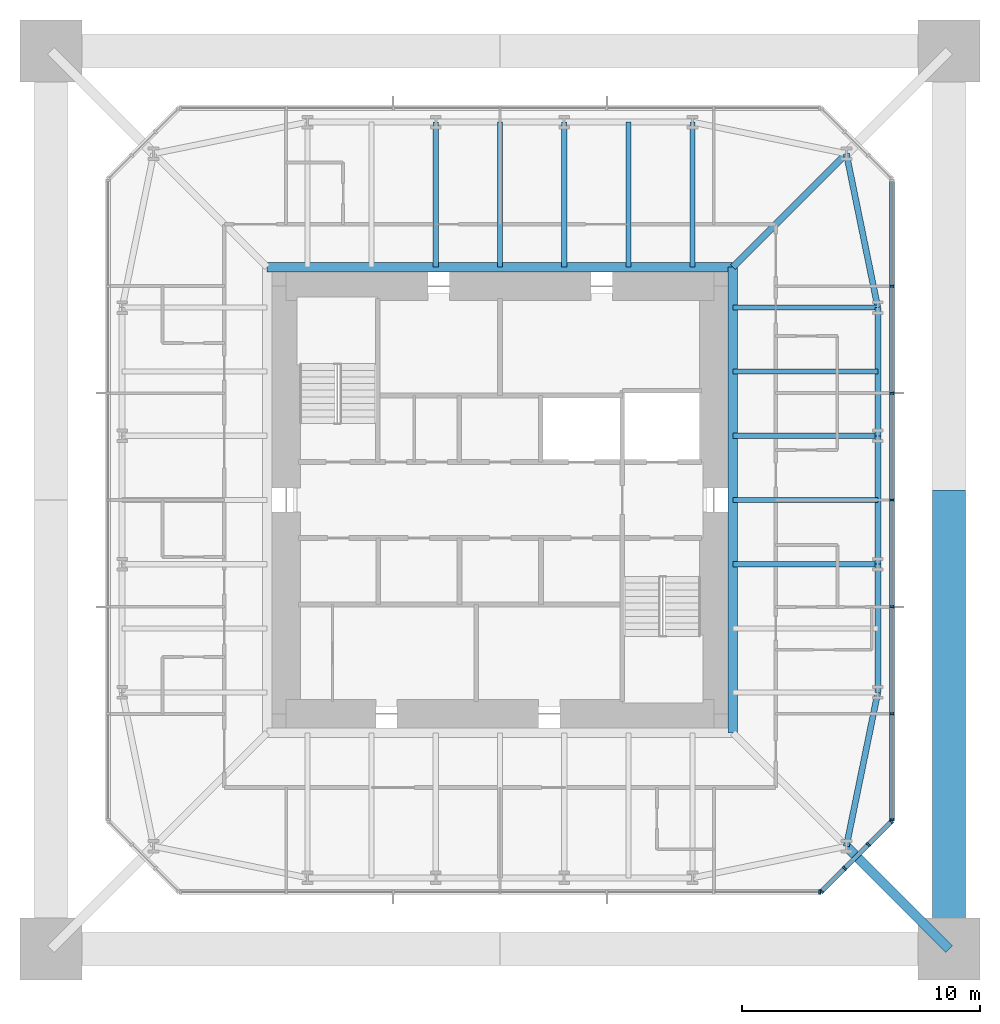
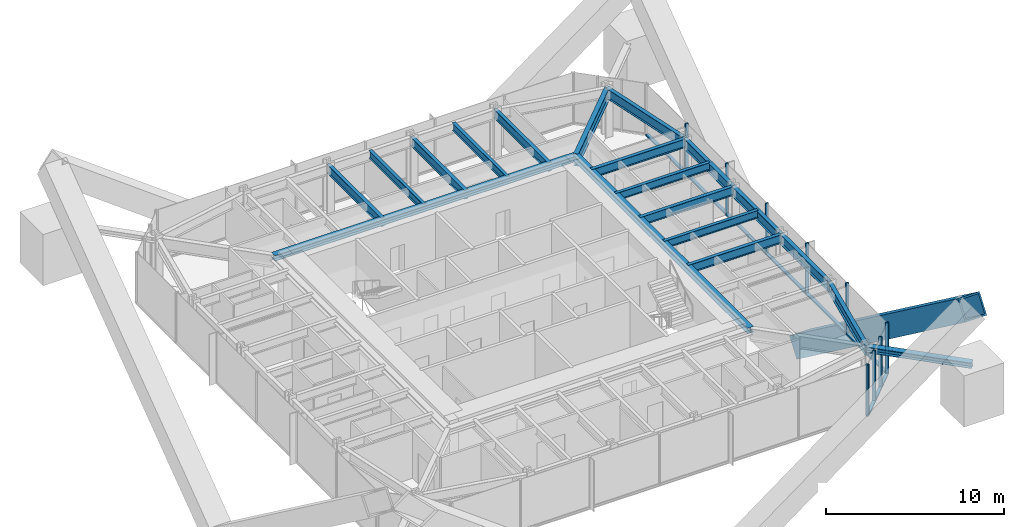
# One storey, part 4 of 10: 22 members, 18 beams, 3 elements without a shape of their own.
"""IFC4 building model written with IfcOpenShell, lengths in metres."""

from ifc_helpers import new_model, si_unit, direction, frame, origin, origin_2d, place, context, subcontext, project, spatial, rectangle, hollow_rectangle, i_section, extrude, material, material_profile, profile_set, type_object, element, aggregate, save


model = new_model("IFC4")

# Units and contexts
model_context = context("Model", 3, precision=1e-05, world=origin(), true_north=direction((0.0, 1.0)))
body_context = subcontext(model_context, "Body", "Model", "MODEL_VIEW")
ifc_project = project(units=[si_unit("LENGTHUNIT", "METRE"), si_unit("AREAUNIT", "SQUARE_METRE"), si_unit("VOLUMEUNIT", "CUBIC_METRE"), si_unit("PLANEANGLEUNIT", "RADIAN"), si_unit("MASSUNIT", "GRAM", prefix="KILO")], contexts=[model_context])

# Site, building, storey
site_placement = place(None, origin())
site = spatial("IfcSite", under=ifc_project, at=site_placement, CompositionType="ELEMENT")
building_placement = place(site_placement, origin())
building = spatial("IfcBuilding", under=site, at=building_placement, Name="Iwan Alto Co-Living Towers", CompositionType="ELEMENT")
storey_placement = place(building_placement, frame((0.0, 0.0, 260.5)))
storey = spatial("IfcBuildingStorey", under=building, at=storey_placement, Name="L71", CompositionType="ELEMENT", Elevation=260.5)

# Curtain wall, member
ifc_material_1 = material(Name="Bronze aluminium unitised frame", Category="aluminium")
curtain_wall_type_1 = type_object("IfcCurtainWallType", Name="CURTAIN WALL CW-A", PredefinedType="NOTDEFINED", material=ifc_material_1)
curtain_wall_1_placement = place(storey_placement, origin())
curtain_wall_1 = element("IfcCurtainWall", 1, at=curtain_wall_1_placement, inside=storey, type_object=curtain_wall_type_1, Name="T1 curtain wall S L71", PredefinedType="NOTDEFINED")
ifc_material_2 = material(Name="Aluminium 6063-T6 bronze anodised", Category="aluminium")
ifc_material_profile_1 = material_profile(ifc_material_2, rectangle(XDim=0.199951171875, YDim=0.080078125, at=origin_2d()), Name="AL 80X200")
ifc_profile_set_1 = profile_set([ifc_material_profile_1], Name="Aluminium 6063-T6 bronze anodised")
member_type_1 = type_object("IfcMemberType", Name="CW-A MULLION 80X200", PredefinedType="MULLION", material=ifc_profile_set_1)
member_1_placement = place(storey_placement, frame((13.4599609375, -16.5, 0.0), z_axis=(0.0, 0.0, 1.0), x_axis=(0.0, 1.0, 0.0)))
member_1 = element("IfcMember", 2, at=member_1_placement, type_object=member_type_1, Name="CW-A mullion 7", PredefinedType="MULLION", context=body_context, shape_type="SweptSolid", body=[
    extrude(rectangle(XDim=0.199951171875, YDim=0.080078125, at=origin_2d()), origin(), (0.0, 0.0, 1.0), 3.5),
])
aggregate(curtain_wall_1, [member_1])

# Curtain wall, members
curtain_wall_2_placement = place(storey_placement, origin())
curtain_wall_2 = element("IfcCurtainWall", 3, at=curtain_wall_2_placement, inside=storey, type_object=curtain_wall_type_1, Name="T1 curtain wall E L71", PredefinedType="NOTDEFINED")
member_2_placement = place(storey_placement, frame((16.5, -13.4599609375, 0.0), z_axis=(0.0, 0.0, 1.0), x_axis=(-1.0, 0.0, 0.0)))
member_2 = element("IfcMember", 4, at=member_2_placement, type_object=member_type_1, Name="CW-A mullion 1", PredefinedType="MULLION", context=body_context, shape_type="SweptSolid", body=[
    extrude(rectangle(XDim=0.199951171875, YDim=0.080078125, at=origin_2d()), origin(), (0.0, 0.0, 1.0), 3.5),
])
member_3_placement = place(storey_placement, frame((16.5, -9.0, 0.0), z_axis=(0.0, 0.0, 1.0), x_axis=(-1.0, 0.0, 0.0)))
member_3 = element("IfcMember", 5, at=member_3_placement, type_object=member_type_1, Name="CW-A mullion 2", PredefinedType="MULLION", context=body_context, shape_type="SweptSolid", body=[
    extrude(rectangle(XDim=0.199951171875, YDim=0.080078125, at=origin_2d()), origin(), (0.0, 0.0, 1.0), 3.5),
])
member_4_placement = place(storey_placement, frame((16.5, -4.5, 0.0), z_axis=(0.0, 0.0, 1.0), x_axis=(-1.0, 0.0, 0.0)))
member_4 = element("IfcMember", 6, at=member_4_placement, type_object=member_type_1, Name="CW-A mullion 3", PredefinedType="MULLION", context=body_context, shape_type="SweptSolid", body=[
    extrude(rectangle(XDim=0.199951171875, YDim=0.080078125, at=origin_2d()), origin(), (0.0, 0.0, 1.0), 3.5),
])
member_5_placement = place(storey_placement, frame((16.5, 0.0, 0.0), z_axis=(0.0, 0.0, 1.0), x_axis=(-1.0, 0.0, 0.0)))
member_5 = element("IfcMember", 7, at=member_5_placement, type_object=member_type_1, Name="CW-A mullion 4", PredefinedType="MULLION", context=body_context, shape_type="SweptSolid", body=[
    extrude(rectangle(XDim=0.199951171875, YDim=0.080078125, at=origin_2d()), origin(), (0.0, 0.0, 1.0), 3.5),
])
member_6_placement = place(storey_placement, frame((16.5, 4.5, 0.0), z_axis=(0.0, 0.0, 1.0), x_axis=(-1.0, 0.0, 0.0)))
member_6 = element("IfcMember", 8, at=member_6_placement, type_object=member_type_1, Name="CW-A mullion 5", PredefinedType="MULLION", context=body_context, shape_type="SweptSolid", body=[
    extrude(rectangle(XDim=0.199951171875, YDim=0.080078125, at=origin_2d()), origin(), (0.0, 0.0, 1.0), 3.5),
])
member_7_placement = place(storey_placement, frame((16.5, 9.0, 0.0), z_axis=(0.0, 0.0, 1.0), x_axis=(-1.0, 0.0, 0.0)))
member_7 = element("IfcMember", 9, at=member_7_placement, type_object=member_type_1, Name="CW-A mullion 6", PredefinedType="MULLION", context=body_context, shape_type="SweptSolid", body=[
    extrude(rectangle(XDim=0.199951171875, YDim=0.080078125, at=origin_2d()), origin(), (0.0, 0.0, 1.0), 3.5),
])
ifc_material_3 = material(Name="Aluminium 6063-T6 bronze anodised", Category="aluminium")
ifc_material_profile_2 = material_profile(ifc_material_3, rectangle(XDim=0.199951171875, YDim=0.10009765625, at=origin_2d()), Name="AL 200X100")
ifc_profile_set_2 = profile_set([ifc_material_profile_2], Name="Aluminium 6063-T6 bronze anodised")
member_type_2 = type_object("IfcMemberType", Name="CW-A TRANSOM 200X100", PredefinedType="USERDEFINED", material=ifc_profile_set_2)
member_8_placement = place(storey_placement, frame((16.5, -13.419921875, 0.050048828125), z_axis=(0.0, 1.0, 0.0), x_axis=(-1.0, 0.0, 0.0)))
member_8 = element("IfcMember", 10, at=member_8_placement, type_object=member_type_2, Name="CW-A transom 1.1", ObjectType="TRANSOM", PredefinedType="USERDEFINED", context=body_context, shape_type="SweptSolid", body=[
    extrude(rectangle(XDim=0.199951171875, YDim=0.10009765625, at=origin_2d()), origin(), (0.0, 0.0, 1.0), 4.3798828125),
])
member_9_placement = place(storey_placement, frame((16.5, -8.9599609375, 0.050048828125), z_axis=(0.0, 1.0, 0.0), x_axis=(-1.0, 0.0, 0.0)))
member_9 = element("IfcMember", 11, at=member_9_placement, type_object=member_type_2, Name="CW-A transom 2.1", ObjectType="TRANSOM", PredefinedType="USERDEFINED", context=body_context, shape_type="SweptSolid", body=[
    extrude(rectangle(XDim=0.199951171875, YDim=0.10009765625, at=origin_2d()), origin(), (0.0, 0.0, 1.0), 4.419921875),
])
member_10_placement = place(storey_placement, frame((16.5, -4.4599609375, 0.050048828125), z_axis=(0.0, 1.0, 0.0), x_axis=(-1.0, 0.0, 0.0)))
member_10 = element("IfcMember", 12, at=member_10_placement, type_object=member_type_2, Name="CW-A transom 3.1", ObjectType="TRANSOM", PredefinedType="USERDEFINED", context=body_context, shape_type="SweptSolid", body=[
    extrude(rectangle(XDim=0.199951171875, YDim=0.10009765625, at=origin_2d()), origin(), (0.0, 0.0, 1.0), 4.419921875),
])
member_11_placement = place(storey_placement, frame((16.5, 0.0400390625, 0.050048828125), z_axis=(0.0, 1.0, 0.0), x_axis=(-1.0, 0.0, 0.0)))
member_11 = element("IfcMember", 13, at=member_11_placement, type_object=member_type_2, Name="CW-A transom 4.1", ObjectType="TRANSOM", PredefinedType="USERDEFINED", context=body_context, shape_type="SweptSolid", body=[
    extrude(rectangle(XDim=0.199951171875, YDim=0.10009765625, at=origin_2d()), origin(), (0.0, 0.0, 1.0), 4.419921875),
])
member_12_placement = place(storey_placement, frame((16.5, 4.5400390625, 0.050048828125), z_axis=(0.0, 1.0, 0.0), x_axis=(-1.0, 0.0, 0.0)))
member_12 = element("IfcMember", 14, at=member_12_placement, type_object=member_type_2, Name="CW-A transom 5.1", ObjectType="TRANSOM", PredefinedType="USERDEFINED", context=body_context, shape_type="SweptSolid", body=[
    extrude(rectangle(XDim=0.199951171875, YDim=0.10009765625, at=origin_2d()), origin(), (0.0, 0.0, 1.0), 4.419921875),
])
member_13_placement = place(storey_placement, frame((16.5, 9.0400390625, 0.050048828125), z_axis=(0.0, 1.0, 0.0), x_axis=(-1.0, 0.0, 0.0)))
member_13 = element("IfcMember", 15, at=member_13_placement, type_object=member_type_2, Name="CW-A transom 6.1", ObjectType="TRANSOM", PredefinedType="USERDEFINED", context=body_context, shape_type="SweptSolid", body=[
    extrude(rectangle(XDim=0.199951171875, YDim=0.10009765625, at=origin_2d()), origin(), (0.0, 0.0, 1.0), 4.3798828125),
])
aggregate(curtain_wall_2, [member_2, member_3, member_4, member_5, member_6, member_7, member_8, member_9, member_10, member_11, member_12, member_13])

ifc_material_4 = material(Name="Bronze aluminium unitised frame", Category="aluminium")
curtain_wall_type_2 = type_object("IfcCurtainWallType", Name="CURTAIN WALL CW-B", PredefinedType="NOTDEFINED", material=ifc_material_4)
curtain_wall_3_placement = place(storey_placement, origin())
curtain_wall_3 = element("IfcCurtainWall", 16, at=curtain_wall_3_placement, inside=storey, type_object=curtain_wall_type_2, Name="T1 chamfer curtain wall SE L71", PredefinedType="NOTDEFINED")
ifc_material_5 = material(Name="Aluminium 6063-T6 bronze anodised", Category="aluminium")
ifc_material_profile_3 = material_profile(ifc_material_5, rectangle(XDim=0.199951171875, YDim=0.080078125, at=origin_2d()), Name="AL 80X200")
ifc_profile_set_3 = profile_set([ifc_material_profile_3], Name="Aluminium 6063-T6 bronze anodised")
member_type_3 = type_object("IfcMemberType", Name="CW-B MULLION 80X200", PredefinedType="MULLION", material=ifc_profile_set_3)
member_14_placement = place(storey_placement, frame((13.5283203125, -16.4716796875, 0.0), z_axis=(0.0, 0.0, 1.0), x_axis=(-0.707106781187, 0.707106781187, 0.0)))
member_14 = element("IfcMember", 17, at=member_14_placement, type_object=member_type_3, Name="CW-B mullion 1", PredefinedType="MULLION", context=body_context, shape_type="SweptSolid", body=[
    extrude(rectangle(XDim=0.199951171875, YDim=0.080078125, at=origin_2d()), origin(), (0.0, 0.0, 1.0), 3.5),
])
member_15_placement = place(storey_placement, frame((14.5, -15.5, 0.0), z_axis=(0.0, 0.0, 1.0), x_axis=(-0.707106781187, 0.707106781187, 0.0)))
member_15 = element("IfcMember", 18, at=member_15_placement, type_object=member_type_3, Name="CW-B mullion 2", PredefinedType="MULLION", context=body_context, shape_type="SweptSolid", body=[
    extrude(rectangle(XDim=0.199951171875, YDim=0.080078125, at=origin_2d()), origin(), (0.0, 0.0, 1.0), 3.5),
])
member_16_placement = place(storey_placement, frame((15.5, -14.5, 0.0), z_axis=(0.0, 0.0, 1.0), x_axis=(-0.707106781187, 0.707106781187, 0.0)))
member_16 = element("IfcMember", 19, at=member_16_placement, type_object=member_type_3, Name="CW-B mullion 3", PredefinedType="MULLION", context=body_context, shape_type="SweptSolid", body=[
    extrude(rectangle(XDim=0.199951171875, YDim=0.080078125, at=origin_2d()), origin(), (0.0, 0.0, 1.0), 3.5),
])
member_17_placement = place(storey_placement, frame((16.4716796875, -13.5283203125, 0.0), z_axis=(0.0, 0.0, 1.0), x_axis=(-0.707106781187, 0.707106781187, 0.0)))
member_17 = element("IfcMember", 20, at=member_17_placement, type_object=member_type_3, Name="CW-B mullion 4", PredefinedType="MULLION", context=body_context, shape_type="SweptSolid", body=[
    extrude(rectangle(XDim=0.199951171875, YDim=0.080078125, at=origin_2d()), origin(), (0.0, 0.0, 1.0), 3.5),
])
ifc_material_6 = material(Name="Aluminium 6063-T6 bronze anodised", Category="aluminium")
ifc_material_profile_4 = material_profile(ifc_material_6, rectangle(XDim=0.199951171875, YDim=0.10009765625, at=origin_2d()), Name="AL 200X100")
ifc_profile_set_4 = profile_set([ifc_material_profile_4], Name="Aluminium 6063-T6 bronze anodised")
member_type_4 = type_object("IfcMemberType", Name="CW-B TRANSOM 200X100", PredefinedType="USERDEFINED", material=ifc_profile_set_4)
member_18_placement = place(storey_placement, frame((13.556640625, -16.443359375, 0.050048828125), z_axis=(0.707106781187, 0.707106781187, 0.0), x_axis=(-0.707106781187, 0.707106781187, 0.0)))
member_18 = element("IfcMember", 21, at=member_18_placement, type_object=member_type_4, Name="CW-B transom 1.1", ObjectType="TRANSOM", PredefinedType="USERDEFINED", context=body_context, shape_type="SweptSolid", body=[
    extrude(rectangle(XDim=0.199951171875, YDim=0.10009765625, at=origin_2d()), origin(), (0.0, 0.0, 1.0), 1.2939453125),
])
member_19_placement = place(storey_placement, frame((14.5283203125, -15.4716796875, 0.050048828125), z_axis=(0.707106781187, 0.707106781187, 0.0), x_axis=(-0.707106781187, 0.707106781187, 0.0)))
member_19 = element("IfcMember", 22, at=member_19_placement, type_object=member_type_4, Name="CW-B transom 2.1", ObjectType="TRANSOM", PredefinedType="USERDEFINED", context=body_context, shape_type="SweptSolid", body=[
    extrude(rectangle(XDim=0.199951171875, YDim=0.10009765625, at=origin_2d()), origin(), (0.0, 0.0, 1.0), 1.334228515625),
])
member_20_placement = place(storey_placement, frame((15.5283203125, -14.4716796875, 0.050048828125), z_axis=(0.707106781187, 0.707106781187, 0.0), x_axis=(-0.707106781187, 0.707106781187, 0.0)))
member_20 = element("IfcMember", 23, at=member_20_placement, type_object=member_type_4, Name="CW-B transom 3.1", ObjectType="TRANSOM", PredefinedType="USERDEFINED", context=body_context, shape_type="SweptSolid", body=[
    extrude(rectangle(XDim=0.199951171875, YDim=0.10009765625, at=origin_2d()), origin(), (0.0, 0.0, 1.0), 1.2939453125),
])
aggregate(curtain_wall_3, [member_14, member_15, member_16, member_17, member_18, member_19, member_20])

# Beams
ifc_material_7 = material(Name="Steel ASTM A992 Gr 50", Category="steel")
ifc_material_profile_5 = material_profile(ifc_material_7, i_section(OverallWidth=0.398681640625, OverallDepth=0.385986328125, WebThickness=0.02099609375, FlangeThickness=0.033203125, at=origin_2d()), Name="W14X176")
ifc_profile_set_5 = profile_set([ifc_material_profile_5], Name="Steel ASTM A992 Gr 50")
beam_type_1 = type_object("IfcBeamType", Name="T1 CORE LEDGER BEAM W14X176", PredefinedType="BEAM", material=ifc_profile_set_5)
for number, where, z_axis, x_axis, name in (
    (24, (9.79931640625, -9.79931640625, 3.076904296875), (0.0, 1.0, 0.0), (-1.0, 0.0, 0.0), "T1 core ledger beam E L72"),
    (25, (9.79931640625, 9.79931640625, 3.076904296875), (-1.0, 0.0, 0.0), (0.0, -1.0, 0.0), "T1 core ledger beam N L72"),
):
    element("IfcBeam", number, at=place(storey_placement, frame(where, z_axis=z_axis, x_axis=x_axis)), inside=storey, type_object=beam_type_1, Name=name, PredefinedType="BEAM", context=body_context, shape_type="SweptSolid", body=[
        extrude(i_section(OverallWidth=0.398681640625, OverallDepth=0.385986328125, WebThickness=0.02099609375, FlangeThickness=0.033203125, at=origin_2d()), origin(), (0.0, 0.0, 1.0), 19.5986328125),
    ])
ifc_material_8 = material(Name="Steel ASTM A992 Gr 50", Category="steel")
ifc_material_profile_6 = material_profile(ifc_material_8, i_section(OverallWidth=0.2919921875, OverallDepth=0.8408203125, WebThickness=0.0146484375, FlangeThickness=0.021728515625, at=origin_2d()), Name="W33X130")
ifc_profile_set_6 = profile_set([ifc_material_profile_6], Name="Steel ASTM A992 Gr 50")
beam_type_2 = type_object("IfcBeamType", Name="T1 CORNER GIRDER W33X130", PredefinedType="BEAM", material=ifc_profile_set_6)
beam_1_placement = place(storey_placement, frame((14.57568359375, 14.57568359375, 2.849609375), z_axis=(-0.707106781187, -0.707106781187, 0.0), x_axis=(0.707106781187, -0.707106781187, 0.0)))
element("IfcBeam", 26, at=beam_1_placement, inside=storey, type_object=beam_type_2, Name="T1 corner girder CNE L72", PredefinedType="BEAM", context=body_context, shape_type="SweptSolid", body=[
    extrude(i_section(OverallWidth=0.2919921875, OverallDepth=0.8408203125, WebThickness=0.0146484375, FlangeThickness=0.021728515625, at=origin_2d()), origin(), (0.0, 0.0, 1.0), 6.7548828125),
])
ifc_material_9 = material(Name="Steel ASTM A992 Gr 50", Category="steel")
ifc_material_profile_7 = material_profile(ifc_material_9, i_section(OverallWidth=0.25390625, OverallDepth=0.683349609375, WebThickness=0.012451171875, FlangeThickness=0.018798828125, at=origin_2d()), Name="W27X94")
ifc_profile_set_7 = profile_set([ifc_material_profile_7], Name="Steel ASTM A992 Gr 50")
beam_type_3 = type_object("IfcBeamType", Name="T1 EDGE BEAM W27X94", PredefinedType="BEAM", material=ifc_profile_set_7)
beam_2_placement = place(storey_placement, frame((14.57568359375, -14.57568359375, 2.928466796875), z_axis=(0.200347889618, 0.979724820103, 0.0), x_axis=(-0.979724820103, 0.200347889618, 0.0)))
element("IfcBeam", 27, at=beam_2_placement, inside=storey, type_object=beam_type_3, Name="T1 edge beam CSE L72", PredefinedType="BEAM", context=body_context, shape_type="SweptSolid", body=[
    extrude(i_section(OverallWidth=0.25390625, OverallDepth=0.683349609375, WebThickness=0.012451171875, FlangeThickness=0.018798828125, at=origin_2d()), origin(), (0.0, 0.0, 1.0), 6.609619140625),
])
beam_3_placement = place(storey_placement, frame((15.89990234375, -8.10009765625, 2.928466796875), z_axis=(0.0, 1.0, 0.0), x_axis=(-1.0, 0.0, 0.0)))
element("IfcBeam", 28, at=beam_3_placement, inside=storey, type_object=beam_type_3, Name="T1 edge beam E1 L72", PredefinedType="BEAM", context=body_context, shape_type="SweptSolid", body=[
    extrude(i_section(OverallWidth=0.25390625, OverallDepth=0.683349609375, WebThickness=0.012451171875, FlangeThickness=0.018798828125, at=origin_2d()), origin(), (0.0, 0.0, 1.0), 5.400146484375),
])
beam_4_placement = place(storey_placement, frame((15.89990234375, -2.699951171875, 2.928466796875), z_axis=(0.0, 1.0, 0.0), x_axis=(-1.0, 0.0, 0.0)))
element("IfcBeam", 29, at=beam_4_placement, inside=storey, type_object=beam_type_3, Name="T1 edge beam E2 L72", PredefinedType="BEAM", context=body_context, shape_type="SweptSolid", body=[
    extrude(i_section(OverallWidth=0.25390625, OverallDepth=0.683349609375, WebThickness=0.012451171875, FlangeThickness=0.018798828125, at=origin_2d()), origin(), (0.0, 0.0, 1.0), 5.39990234375),
])
beam_5_placement = place(storey_placement, frame((15.89990234375, 2.699951171875, 2.928466796875), z_axis=(0.0, 1.0, 0.0), x_axis=(-1.0, 0.0, 0.0)))
element("IfcBeam", 30, at=beam_5_placement, inside=storey, type_object=beam_type_3, Name="T1 edge beam E3 L72", PredefinedType="BEAM", context=body_context, shape_type="SweptSolid", body=[
    extrude(i_section(OverallWidth=0.25390625, OverallDepth=0.683349609375, WebThickness=0.012451171875, FlangeThickness=0.018798828125, at=origin_2d()), origin(), (0.0, 0.0, 1.0), 5.400146484375),
])
beam_6_placement = place(storey_placement, frame((15.89990234375, 8.10009765625, 2.928466796875), z_axis=(-0.200347889618, 0.979724820103, 0.0), x_axis=(-0.979724820103, -0.200347889618, 0.0)))
element("IfcBeam", 31, at=beam_6_placement, inside=storey, type_object=beam_type_3, Name="T1 edge beam E4 L72", PredefinedType="BEAM", context=body_context, shape_type="SweptSolid", body=[
    extrude(i_section(OverallWidth=0.25390625, OverallDepth=0.683349609375, WebThickness=0.012451171875, FlangeThickness=0.018798828125, at=origin_2d()), origin(), (0.0, 0.0, 1.0), 6.609619140625),
])

# Members
ifc_material_10 = material(Name="Steel ASTM A572 Gr 50", Category="steel")
ifc_material_profile_8 = material_profile(ifc_material_10, hollow_rectangle(XDim=1.39990234375, YDim=1.39990234375, WallThickness=0.10009765625, at=origin_2d()), Name="BOX 1400X1400X100")
ifc_profile_set_8 = profile_set([ifc_material_profile_8], Name="Steel ASTM A572 Gr 50")
member_type_5 = type_object("IfcMemberType", Name="T1 MEGA BRACE BOX 1400X1400X100", PredefinedType="BRACE", material=ifc_profile_set_8)
member_21_placement = place(storey_placement, frame((18.89990234375, 0.0, -7.0), z_axis=(0.0, -0.803555722309, 0.595229536519), x_axis=(1.0, 0.0, 0.0)))
element("IfcMember", 32, at=member_21_placement, inside=storey, type_object=member_type_5, Name="T1 mega brace Z4B E 2 upper", PredefinedType="BRACE", context=body_context, shape_type="SweptSolid", body=[
    extrude(hollow_rectangle(XDim=1.39990234375, YDim=1.39990234375, WallThickness=0.10009765625, at=origin_2d()), origin(), (0.0, 0.0, 1.0), 23.520263671875),
])
ifc_material_11 = material(Name="Steel ASTM A992 Gr 50", Category="steel")
ifc_material_profile_9 = material_profile(ifc_material_11, i_section(OverallWidth=0.393798828125, OverallDepth=0.3759765625, WebThickness=0.017333984375, FlangeThickness=0.027587890625, at=origin_2d()), Name="W14X145")
ifc_profile_set_9 = profile_set([ifc_material_profile_9], Name="Steel ASTM A992 Gr 50")
member_type_6 = type_object("IfcMemberType", Name="T1 MEGA COLUMN FLOOR TIE W14X145", PredefinedType="STRUT", material=ifc_profile_set_9)
member_22_placement = place(storey_placement, frame((18.89990234375, -18.89990234375, 3.08203125), z_axis=(-0.707106781187, 0.707106781187, 0.0), x_axis=(-0.707106781187, -0.707106781187, 0.0)))
element("IfcMember", 33, at=member_22_placement, inside=storey, type_object=member_type_6, Name="T1 mega column floor tie SE L72", PredefinedType="STRUT", context=body_context, shape_type="SweptSolid", body=[
    extrude(i_section(OverallWidth=0.393798828125, OverallDepth=0.3759765625, WebThickness=0.017333984375, FlangeThickness=0.027587890625, at=origin_2d()), origin(), (0.0, 0.0, 1.0), 6.115478515625),
])

# Beams
ifc_material_12 = material(Name="Steel ASTM A992 Gr 50", Category="steel")
ifc_material_profile_10 = material_profile(ifc_material_12, i_section(OverallWidth=0.228271484375, OverallDepth=0.607177734375, WebThickness=0.01123046875, FlangeThickness=0.017333984375, at=origin_2d()), Name="W24X76")
ifc_profile_set_10 = profile_set([ifc_material_profile_10], Name="Steel ASTM A992 Gr 50")
beam_type_4 = type_object("IfcBeamType", Name="T1 RADIAL BEAM W24X76", PredefinedType="BEAM", material=ifc_profile_set_10)
for number, where, z_axis, x_axis, name in (
    (34, (15.89990234375, -2.699951171875, 2.966552734375), (-1.0, 0.0, 0.0), (0.0, -1.0, 0.0), "T1 radial beam E2 L72"),
    (35, (15.89990234375, 2.699951171875, 2.966552734375), (-1.0, 0.0, 0.0), (0.0, -1.0, 0.0), "T1 radial beam E3 L72"),
    (36, (15.89990234375, 8.10009765625, 2.966552734375), (-1.0, 0.0, 0.0), (0.0, -1.0, 0.0), "T1 radial beam E4 L72"),
    (37, (8.10009765625, 15.89990234375, 2.966552734375), (0.0, -1.0, 0.0), (1.0, 0.0, 0.0), "T1 radial beam N1 L72"),
    (38, (2.699951171875, 15.89990234375, 2.966552734375), (0.0, -1.0, 0.0), (1.0, 0.0, 0.0), "T1 radial beam N2 L72"),
    (39, (-2.699951171875, 15.89990234375, 2.966552734375), (0.0, -1.0, 0.0), (1.0, 0.0, 0.0), "T1 radial beam N3 L72"),
):
    element("IfcBeam", number, at=place(storey_placement, frame(where, z_axis=z_axis, x_axis=x_axis)), inside=storey, type_object=beam_type_4, Name=name, PredefinedType="BEAM", context=body_context, shape_type="SweptSolid", body=[
        extrude(i_section(OverallWidth=0.228271484375, OverallDepth=0.607177734375, WebThickness=0.01123046875, FlangeThickness=0.017333984375, at=origin_2d()), origin(), (0.0, 0.0, 1.0), 6.1005859375),
    ])
ifc_material_13 = material(Name="Steel ASTM A992 Gr 50", Category="steel")
ifc_material_profile_11 = material_profile(ifc_material_13, i_section(OverallWidth=0.209228515625, OverallDepth=0.533447265625, WebThickness=0.01025390625, FlangeThickness=0.015625, at=origin_2d()), Name="W21X62")
ifc_profile_set_11 = profile_set([ifc_material_profile_11], Name="Steel ASTM A992 Gr 50")
beam_type_5 = type_object("IfcBeamType", Name="T1 SECONDARY BEAM W21X62", PredefinedType="JOIST", material=ifc_profile_set_11)
for number, where, z_axis, x_axis, name in (
    (40, (15.89990234375, 0.0, 3.00341796875), (-1.0, 0.0, 0.0), (0.0, -1.0, 0.0), "T1 secondary beam E2 L72"),
    (41, (15.89990234375, 5.39990234375, 3.00341796875), (-1.0, 0.0, 0.0), (0.0, -1.0, 0.0), "T1 secondary beam E3 L72"),
    (42, (5.39990234375, 15.89990234375, 3.00341796875), (0.0, -1.0, 0.0), (1.0, 0.0, 0.0), "T1 secondary beam N1 L72"),
    (43, (0.0, 15.89990234375, 3.00341796875), (0.0, -1.0, 0.0), (1.0, 0.0, 0.0), "T1 secondary beam N2 L72"),
):
    element("IfcBeam", number, at=place(storey_placement, frame(where, z_axis=z_axis, x_axis=x_axis)), inside=storey, type_object=beam_type_5, Name=name, PredefinedType="JOIST", context=body_context, shape_type="SweptSolid", body=[
        extrude(i_section(OverallWidth=0.209228515625, OverallDepth=0.533447265625, WebThickness=0.01025390625, FlangeThickness=0.015625, at=origin_2d()), origin(), (0.0, 0.0, 1.0), 6.1005859375),
    ])

save(model, "model.ifc")
